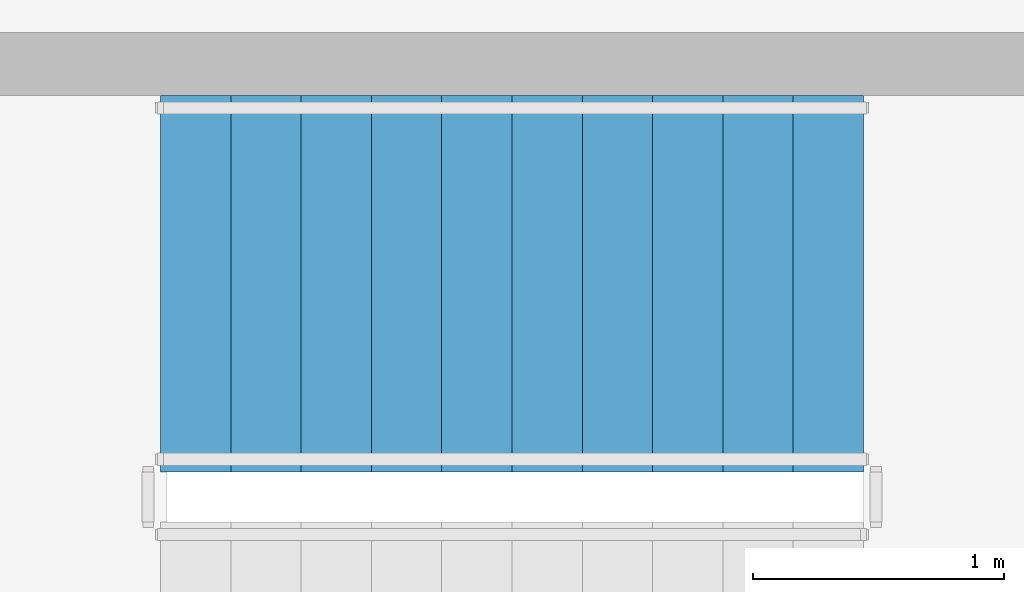
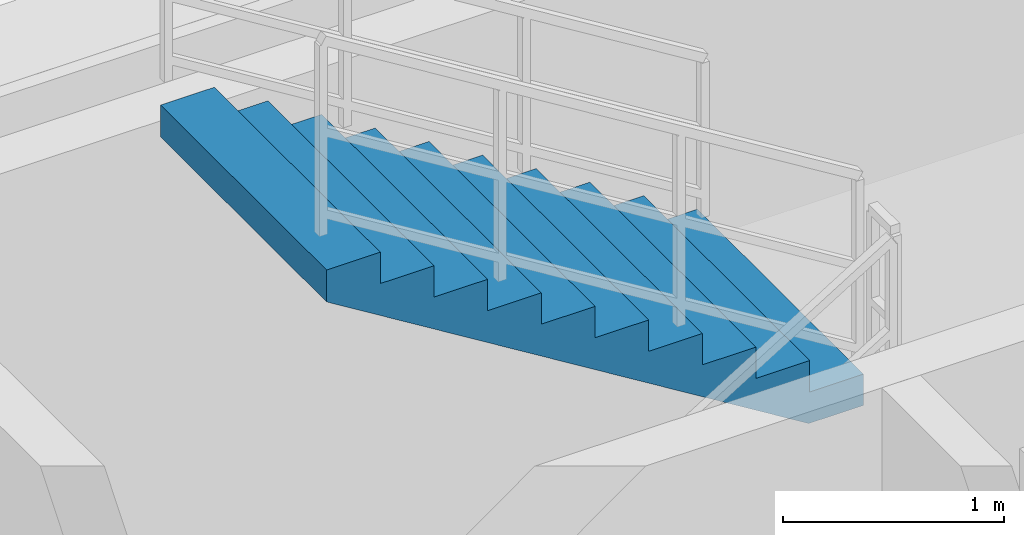
# One storey, part 11 of 14: 1 stair flight, 1 element without a shape of its own.
"""IFC4 building model written with IfcOpenShell, lengths in metres."""

from ifc_helpers import new_model, si_unit, direction, frame, origin, place, context, subcontext, project, spatial, polyline, outline, extrude, material, type_object, element, aggregate, save


model = new_model("IFC4")

# Units and contexts
model_context = context("Model", 3, precision=1e-05, world=origin(), true_north=direction((0.0, 1.0)))
body_context = subcontext(model_context, "Body", "Model", "MODEL_VIEW")
ifc_project = project(units=[si_unit("LENGTHUNIT", "METRE"), si_unit("AREAUNIT", "SQUARE_METRE"), si_unit("VOLUMEUNIT", "CUBIC_METRE"), si_unit("PLANEANGLEUNIT", "RADIAN"), si_unit("MASSUNIT", "GRAM", prefix="KILO")], contexts=[model_context])

# Site, building, storey
site_placement = place(None, origin())
site = spatial("IfcSite", under=ifc_project, at=site_placement, CompositionType="ELEMENT")
building_placement = place(site_placement, origin())
building = spatial("IfcBuilding", under=site, at=building_placement, Name="Zulverin Broadcast Headquarters", CompositionType="ELEMENT")
storey_placement = place(building_placement, frame((0.0, 0.0, 128.800048828125)))
storey = spatial("IfcBuildingStorey", under=building, at=storey_placement, Name="L32", CompositionType="ELEMENT", Elevation=128.800048828125)

# Stair, stair flight
ifc_material = material(Name="Concrete C40/50", Category="concrete")
stair_type = type_object("IfcStairType", Name="ST-CORE-1500", PredefinedType="HALF_TURN_STAIR", material=ifc_material)
stair_placement = place(storey_placement, origin())
stair = element("IfcStair", 1, at=stair_placement, inside=storey, type_object=stair_type, Name="L32 Core Exit Stair ST-1", PredefinedType="HALF_TURN_STAIR")
stair_flight_type = type_object("IfcStairFlightType", Name="SF-CORE-1500", PredefinedType="STRAIGHT", material=ifc_material)
stair_flight_placement = place(storey_placement, frame((42.929931640625, 31.5, 1.89990234375), z_axis=(0.0, 0.0, 1.0), x_axis=(-1.0, 0.0, 0.0)))
stair_flight = element("IfcStairFlight", 2, at=stair_flight_placement, type_object=stair_flight_type, Name="ST-1 flight 2", NumberOfRisers=11, NumberOfTreads=10, PredefinedType="STRAIGHT", RiserHeight=0.172727273, TreadLength=0.28, context=body_context, shape_type="SweptSolid", body=[
    extrude(outline(polyline([(0.0, 0.0), (0.0, 0.172607421875), (0.280029296875, 0.172607421875), (0.280029296875, 0.345458984375), (0.56005859375, 0.345458984375), (0.56005859375, 0.51806640625), (0.840087890625, 0.51806640625), (0.840087890625, 0.69091796875), (1.1201171875, 0.69091796875), (1.1201171875, 0.863525390625), (1.39990234375, 0.863525390625), (1.39990234375, 1.036376953125), (1.679931640625, 1.036376953125), (1.679931640625, 1.208984375), (1.9599609375, 1.208984375), (1.9599609375, 1.3818359375), (2.239990234375, 1.3818359375), (2.239990234375, 1.554443359375), (2.52001953125, 1.554443359375), (2.52001953125, 1.727294921875), (2.800048828125, 1.727294921875), (2.800048828125, 1.89990234375), (2.800048828125, 1.551025390625), (0.285400390625, 0.0), (0.0, 0.0)])), frame((0.0, 0.75, 0.0), z_axis=(0.0, -1.0, 0.0), x_axis=(1.0, 0.0, 0.0)), (0.0, 0.0, 1.0), 1.5),
])
aggregate(stair, [stair_flight])

save(model, "model.ifc")
